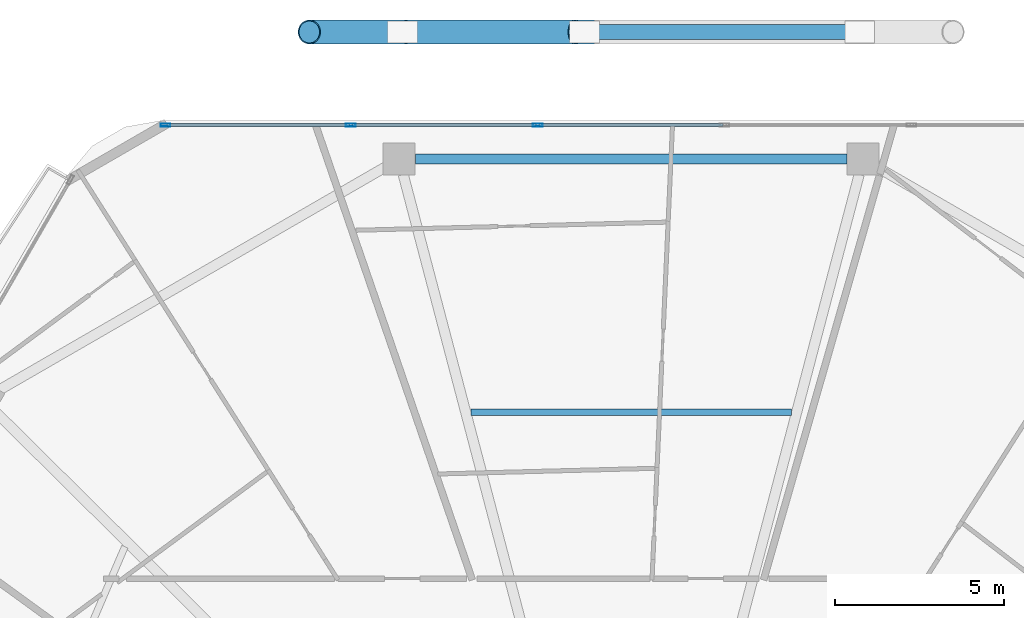
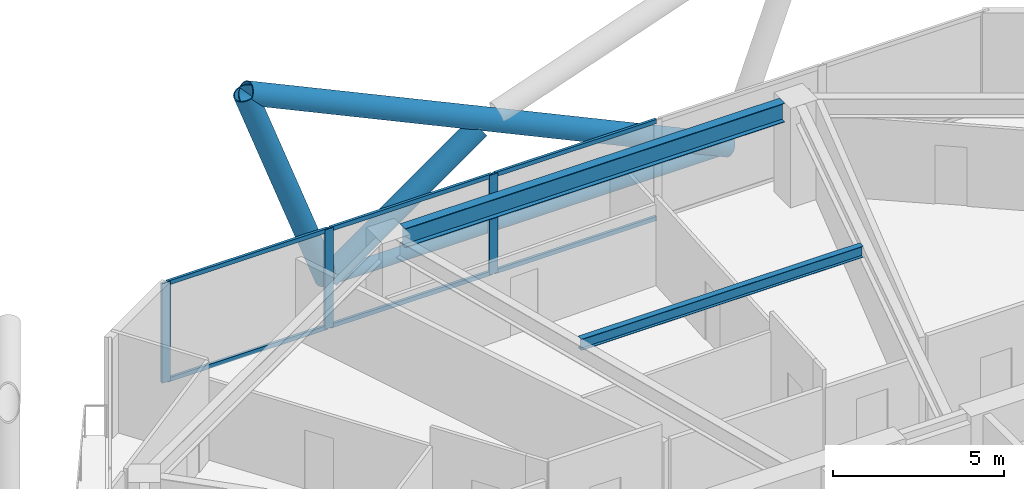
# One storey, part 14 of 28: 13 members, 2 beams, 1 element without a shape of its own.
"""IFC4 building model written with IfcOpenShell, lengths in metres."""

from ifc_helpers import new_model, si_unit, direction, frame, origin, origin_2d, place, context, subcontext, project, spatial, hollow_rectangle, hollow_circle, i_section, extrude, material, material_profile, profile_set, type_object, element, aggregate, save


model = new_model("IFC4")

# Units and contexts
model_context = context("Model", 3, precision=1e-05, world=origin(), true_north=direction((0.0, 1.0)))
body_context = subcontext(model_context, "Body", "Model", "MODEL_VIEW")
ifc_project = project(units=[si_unit("LENGTHUNIT", "METRE"), si_unit("AREAUNIT", "SQUARE_METRE"), si_unit("VOLUMEUNIT", "CUBIC_METRE"), si_unit("PLANEANGLEUNIT", "RADIAN"), si_unit("MASSUNIT", "GRAM", prefix="KILO")], contexts=[model_context])

# Site, building, storey
site_placement = place(None, origin())
site = spatial("IfcSite", under=ifc_project, at=site_placement, CompositionType="ELEMENT")
building_placement = place(site_placement, origin())
building = spatial("IfcBuilding", under=site, at=building_placement, Name="Zuhravey Tower", CompositionType="ELEMENT")
storey_placement = place(building_placement, frame((0.0, 0.0, 199.800048828125)))
storey = spatial("IfcBuildingStorey", under=building, at=storey_placement, Name="L50", CompositionType="ELEMENT", Elevation=199.800048828125)

# Curtain wall, members
ifc_material_1 = material(Name="Thermally broken anodised aluminium", Category="aluminium")
curtain_wall_type = type_object("IfcCurtainWallType", Name="Zone 1-2 Residential Curtain Wall CW3", PredefinedType="NOTDEFINED", material=ifc_material_1)
curtain_wall_placement = place(storey_placement, origin())
curtain_wall = element("IfcCurtainWall", 1, at=curtain_wall_placement, inside=storey, type_object=curtain_wall_type, Name="L50 CW3 CW-L50-F2-1", PredefinedType="NOTDEFINED")
ifc_material_2 = material(Name="Anodised aluminium", Category="aluminium")
ifc_material_profile_1 = material_profile(ifc_material_2, hollow_rectangle(XDim=0.090087890625, YDim=0.284912109375, WallThickness=0.0048828125, at=origin_2d()), Name="ALU-RHS-90x285x5")
ifc_profile_set_1 = profile_set([ifc_material_profile_1], Name="Anodised aluminium")
member_type_1 = type_object("IfcMemberType", Name="Curtain-Wall Mullion 90x180", PredefinedType="MULLION", material=ifc_profile_set_1)
member_1_placement = place(storey_placement, frame((22.183837890625, 59.18310546875, 0.0), z_axis=(0.0, 0.0, 1.0), x_axis=(0.0, 1.0, 0.0)))
member_1 = element("IfcMember", 2, at=member_1_placement, type_object=member_type_1, Name="CW3 mullion 1", PredefinedType="MULLION", context=body_context, shape_type="SweptSolid", body=[
    extrude(hollow_rectangle(XDim=0.090087890625, YDim=0.284912109375, WallThickness=0.0048828125, at=origin_2d()), origin(), (0.0, 0.0, 1.0), 3.550048828125),
])
member_2_placement = place(storey_placement, frame((27.683349609375, 59.18310546875, 0.0), z_axis=(0.0, 0.0, 1.0), x_axis=(0.0, 1.0, 0.0)))
member_2 = element("IfcMember", 3, at=member_2_placement, type_object=member_type_1, Name="CW3 mullion 2", PredefinedType="MULLION", context=body_context, shape_type="SweptSolid", body=[
    extrude(hollow_rectangle(XDim=0.090087890625, YDim=0.284912109375, WallThickness=0.0048828125, at=origin_2d()), origin(), (0.0, 0.0, 1.0), 3.550048828125),
])
member_3_placement = place(storey_placement, frame((33.227783203125, 59.18310546875, 0.0), z_axis=(0.0, 0.0, 1.0), x_axis=(0.0, 1.0, 0.0)))
member_3 = element("IfcMember", 4, at=member_3_placement, type_object=member_type_1, Name="CW3 mullion 3", PredefinedType="MULLION", context=body_context, shape_type="SweptSolid", body=[
    extrude(hollow_rectangle(XDim=0.090087890625, YDim=0.284912109375, WallThickness=0.0048828125, at=origin_2d()), origin(), (0.0, 0.0, 1.0), 3.550048828125),
])
ifc_material_profile_2 = material_profile(ifc_material_2, hollow_rectangle(XDim=0.090087890625, YDim=0.14990234375, WallThickness=0.0048828125, at=origin_2d()), Name="ALU-RHS-90x150x5")
ifc_profile_set_2 = profile_set([ifc_material_profile_2], Name="Anodised aluminium")
member_type_2 = type_object("IfcMemberType", Name="Curtain-Wall Transom 90x150", PredefinedType="USERDEFINED", material=ifc_profile_set_2)
member_4_placement = place(storey_placement, frame((22.22900390625, 59.18310546875, 0.044921875), z_axis=(1.0, 0.0, 0.0), x_axis=(0.0, 1.0, 0.0)))
member_4 = element("IfcMember", 5, at=member_4_placement, type_object=member_type_2, Name="CW3 transom 1.1", ObjectType="TRANSOM", PredefinedType="USERDEFINED", context=body_context, shape_type="SweptSolid", body=[
    extrude(hollow_rectangle(XDim=0.090087890625, YDim=0.14990234375, WallThickness=0.0048828125, at=origin_2d()), origin(), (0.0, 0.0, 1.0), 5.409423828125),
])
member_5_placement = place(storey_placement, frame((22.22900390625, 59.18310546875, 3.5048828125), z_axis=(1.0, 0.0, 0.0), x_axis=(0.0, 1.0, 0.0)))
member_5 = element("IfcMember", 6, at=member_5_placement, type_object=member_type_2, Name="CW3 transom 1.2", ObjectType="TRANSOM", PredefinedType="USERDEFINED", context=body_context, shape_type="SweptSolid", body=[
    extrude(hollow_rectangle(XDim=0.090087890625, YDim=0.14990234375, WallThickness=0.0048828125, at=origin_2d()), origin(), (0.0, 0.0, 1.0), 5.409423828125),
])
member_6_placement = place(storey_placement, frame((27.728271484375, 59.18310546875, 0.044921875), z_axis=(1.0, 0.0, 0.0), x_axis=(0.0, 1.0, 0.0)))
member_6 = element("IfcMember", 7, at=member_6_placement, type_object=member_type_2, Name="CW3 transom 2.1", ObjectType="TRANSOM", PredefinedType="USERDEFINED", context=body_context, shape_type="SweptSolid", body=[
    extrude(hollow_rectangle(XDim=0.090087890625, YDim=0.14990234375, WallThickness=0.0048828125, at=origin_2d()), origin(), (0.0, 0.0, 1.0), 5.45458984375),
])
member_7_placement = place(storey_placement, frame((27.728271484375, 59.18310546875, 3.5048828125), z_axis=(1.0, 0.0, 0.0), x_axis=(0.0, 1.0, 0.0)))
member_7 = element("IfcMember", 8, at=member_7_placement, type_object=member_type_2, Name="CW3 transom 2.2", ObjectType="TRANSOM", PredefinedType="USERDEFINED", context=body_context, shape_type="SweptSolid", body=[
    extrude(hollow_rectangle(XDim=0.090087890625, YDim=0.14990234375, WallThickness=0.0048828125, at=origin_2d()), origin(), (0.0, 0.0, 1.0), 5.45458984375),
])
member_8_placement = place(storey_placement, frame((33.272705078125, 59.18310546875, 0.044921875), z_axis=(1.0, 0.0, 0.0), x_axis=(0.0, 1.0, 0.0)))
member_8 = element("IfcMember", 9, at=member_8_placement, type_object=member_type_2, Name="CW3 transom 3.1", ObjectType="TRANSOM", PredefinedType="USERDEFINED", context=body_context, shape_type="SweptSolid", body=[
    extrude(hollow_rectangle(XDim=0.090087890625, YDim=0.14990234375, WallThickness=0.0048828125, at=origin_2d()), origin(), (0.0, 0.0, 1.0), 5.45458984375),
])
member_9_placement = place(storey_placement, frame((33.272705078125, 59.18310546875, 3.5048828125), z_axis=(1.0, 0.0, 0.0), x_axis=(0.0, 1.0, 0.0)))
member_9 = element("IfcMember", 10, at=member_9_placement, type_object=member_type_2, Name="CW3 transom 3.2", ObjectType="TRANSOM", PredefinedType="USERDEFINED", context=body_context, shape_type="SweptSolid", body=[
    extrude(hollow_rectangle(XDim=0.090087890625, YDim=0.14990234375, WallThickness=0.0048828125, at=origin_2d()), origin(), (0.0, 0.0, 1.0), 5.45458984375),
])
aggregate(curtain_wall, [member_1, member_2, member_3, member_4, member_5, member_6, member_7, member_8, member_9])

# Members
ifc_material_3 = material(Name="Steel SM355", Category="steel")
ifc_material_profile_3 = material_profile(ifc_material_3, hollow_circle(Radius=0.228515625, WallThickness=0.02197265625, at=origin_2d()), Name="CHS-457.2x22")
ifc_profile_set_3 = profile_set([ifc_material_profile_3], Name="Steel SM355")
member_type_3 = type_object("IfcMemberType", Name="Exoskeleton Ring Tie CHS457x22", PredefinedType="CHORD", material=ifc_profile_set_3)
member_10_placement = place(storey_placement, frame((42.64111328125, 61.943115234375, -0.464111328125), z_axis=(-1.0, 0.0, 0.0), x_axis=(0.0, -1.0, 0.0)))
element("IfcMember", 11, at=member_10_placement, inside=storey, type_object=member_type_3, Name="L50 Exoskeleton Face 2 Tie EXR1", PredefinedType="CHORD", context=body_context, shape_type="SweptSolid", body=[
    extrude(hollow_circle(Radius=0.228515625, WallThickness=0.02197265625, at=origin_2d()), origin(), (0.0, 0.0, 1.0), 13.2822265625),
])
ifc_material_4 = material(Name="Steel SM460", Category="steel")
ifc_material_profile_4 = material_profile(ifc_material_4, hollow_circle(Radius=0.355712890625, WallThickness=0.031982421875, at=origin_2d()), Name="CHS-711.2x32")
ifc_profile_set_4 = profile_set([ifc_material_profile_4], Name="Steel SM460")
member_type_4 = type_object("IfcMemberType", Name="Exoskeleton Zone 2 Diagrid CHS711x32", PredefinedType="BRACE", material=ifc_profile_set_4)
member_11_placement = place(storey_placement, frame((42.738037109375, 61.943115234375, -0.444091796875), z_axis=(-0.906680162882, 0.0, 0.421818778903), x_axis=(0.0, -1.0, 0.0)))
element("IfcMember", 12, at=member_11_placement, inside=storey, type_object=member_type_4, Name="L50 Face 2 Diagrid Brace 2", PredefinedType="BRACE", context=body_context, shape_type="SweptSolid", body=[
    extrude(hollow_circle(Radius=0.355712890625, WallThickness=0.031982421875, at=origin_2d()), origin(), (0.0, 0.0, 1.0), 17.922607421875),
])
member_12_placement = place(storey_placement, frame((29.211669921875, 61.943115234375, -0.444091796875), z_axis=(-0.342858392965, 0.0, 0.939387099323), x_axis=(0.0, -1.0, 0.0)))
element("IfcMember", 13, at=member_12_placement, inside=storey, type_object=member_type_4, Name="L50 Face 2 Diagrid Brace 4", PredefinedType="BRACE", context=body_context, shape_type="SweptSolid", body=[
    extrude(hollow_circle(Radius=0.355712890625, WallThickness=0.031982421875, at=origin_2d()), origin(), (0.0, 0.0, 1.0), 8.0478515625),
])
member_13_placement = place(storey_placement, frame((29.2578125, 61.943115234375, -0.436767578125), z_axis=(0.817501799386, 0.0, 0.575926043864), x_axis=(0.0, 1.0, 0.0)))
element("IfcMember", 14, at=member_13_placement, inside=storey, type_object=member_type_4, Name="L50 Face 2 Split Diagrid Brace 3A", PredefinedType="BRACE", context=body_context, shape_type="SweptSolid", body=[
    extrude(hollow_circle(Radius=0.355712890625, WallThickness=0.031982421875, at=origin_2d()), origin(), (0.0, 0.0, 1.0), 6.205078125),
])

# Beams
ifc_material_profile_5 = material_profile(ifc_material_3, i_section(OverallWidth=0.300048828125, OverallDepth=0.679931640625, WebThickness=0.012939453125, FlangeThickness=0.02197265625, at=origin_2d()), Name="H-680x300x13x22")
ifc_profile_set_5 = profile_set([ifc_material_profile_5], Name="Steel SM355")
beam_type_1 = type_object("IfcBeamType", Name="Perimeter Ring Beam H680x300", PredefinedType="BEAM", material=ifc_profile_set_5)
beam_1_placement = place(storey_placement, frame((42.404052734375, 58.173095703125, 3.2099609375), z_axis=(-1.0, 0.0, 0.0), x_axis=(0.0, -1.0, 0.0)))
element("IfcBeam", 15, at=beam_1_placement, inside=storey, type_object=beam_type_1, Name="L50 PB2 BM-L50-PB-03", PredefinedType="BEAM", context=body_context, shape_type="SweptSolid", body=[
    extrude(i_section(OverallWidth=0.300048828125, OverallDepth=0.679931640625, WebThickness=0.012939453125, FlangeThickness=0.02197265625, at=origin_2d()), origin(), (0.0, 0.0, 1.0), 12.80810546875),
])
ifc_material_profile_6 = material_profile(ifc_material_3, i_section(OverallWidth=0.199951171875, OverallDepth=0.39990234375, WebThickness=0.008056640625, FlangeThickness=0.012939453125, at=origin_2d()), Name="H-400x200x8x13")
ifc_profile_set_6 = profile_set([ifc_material_profile_6], Name="Steel SM355")
beam_type_2 = type_object("IfcBeamType", Name="Secondary Floor Joist H400x200", PredefinedType="JOIST", material=ifc_profile_set_6)
beam_2_placement = place(storey_placement, frame((40.754150390625, 50.665771484375, 3.349853515625), z_axis=(-1.0, 0.0, 0.0), x_axis=(0.0, -1.0, 0.0)))
element("IfcBeam", 16, at=beam_2_placement, inside=storey, type_object=beam_type_2, Name="L50 SJ2 BM-L50-SJ-03-1", PredefinedType="JOIST", context=body_context, shape_type="SweptSolid", body=[
    extrude(i_section(OverallWidth=0.199951171875, OverallDepth=0.39990234375, WebThickness=0.008056640625, FlangeThickness=0.012939453125, at=origin_2d()), origin(), (0.0, 0.0, 1.0), 9.50830078125),
])

save(model, "model.ifc")
